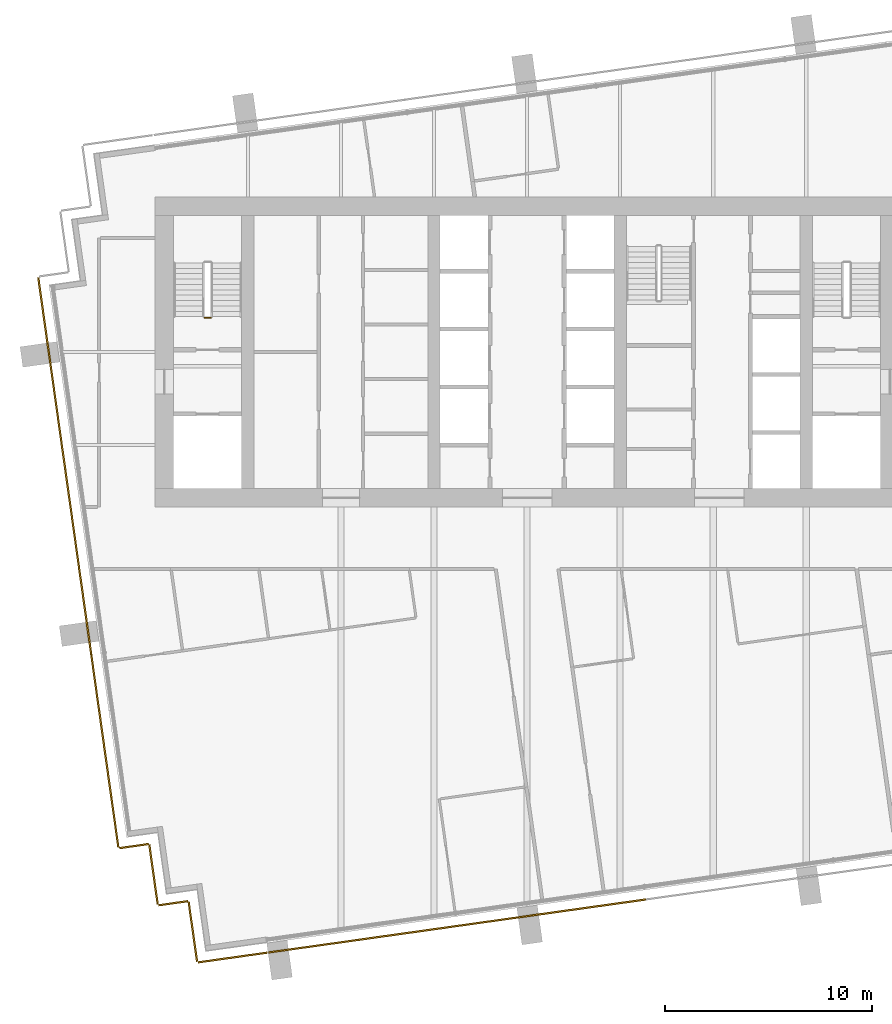
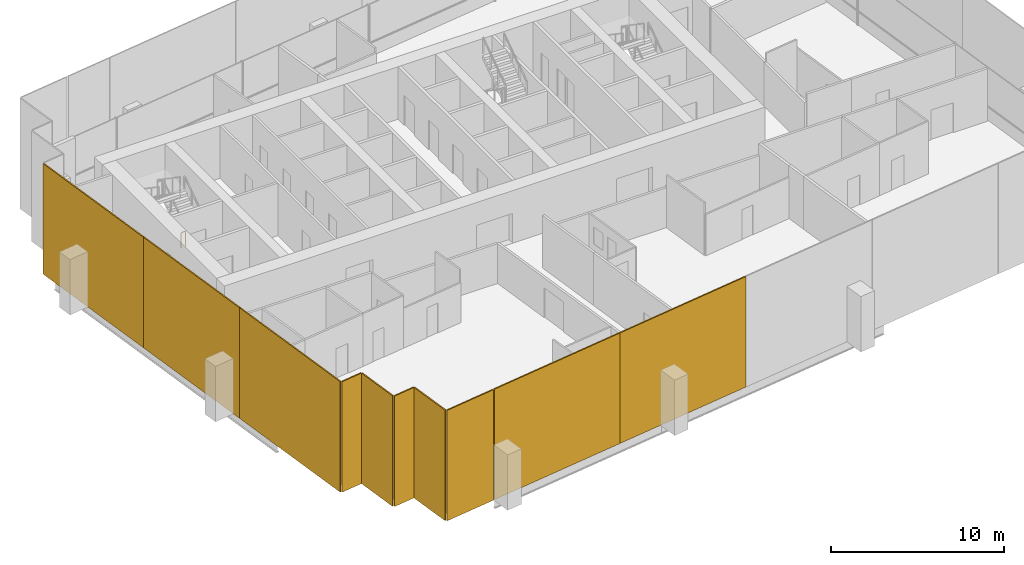
# One storey, part 13 of 17: 10 coverings, 1 railing.
"""IFC4 building model written with IfcOpenShell, lengths in metres."""

from ifc_helpers import new_model, si_unit, direction, frame, origin, origin_2d, place, context, subcontext, project, spatial, rectangle, extrude, material, layer, layer_set, type_object, element, save


model = new_model("IFC4")

# Units and contexts
model_context = context("Model", 3, precision=1e-05, world=origin(), true_north=direction((0.0, 1.0)))
body_context = subcontext(model_context, "Body", "Model", "MODEL_VIEW")
ifc_project = project(units=[si_unit("LENGTHUNIT", "METRE"), si_unit("AREAUNIT", "SQUARE_METRE"), si_unit("VOLUMEUNIT", "CUBIC_METRE"), si_unit("PLANEANGLEUNIT", "RADIAN"), si_unit("MASSUNIT", "GRAM", prefix="KILO")], contexts=[model_context])

# Site, building, storey
site_placement = place(None, origin())
site = spatial("IfcSite", under=ifc_project, at=site_placement, CompositionType="ELEMENT")
building_placement = place(site_placement, origin())
building = spatial("IfcBuilding", under=site, at=building_placement, Name="Rattan Terrace Tower", CompositionType="ELEMENT")
storey_placement = place(building_placement, frame((0.0, 0.0, 225.199951171875)))
storey = spatial("IfcBuildingStorey", under=building, at=storey_placement, Name="L51", CompositionType="ELEMENT", Elevation=225.199951171875)

# Railing
ifc_material_1 = material(Name="Powder-coated steel guard", Category="steel")
railing_type = type_object("IfcRailingType", Name="Core stair guard", PredefinedType="GUARDRAIL", material=ifc_material_1)
railing_placement = place(storey_placement, frame((-15.300048828125, 1.64990234375, 0.0)))
element("IfcRailing", 1, at=railing_placement, inside=storey, type_object=railing_type, Name="L51 S1 stair guard 4", PredefinedType="GUARDRAIL", context=body_context, shape_type="SweptSolid", body=[
    extrude(rectangle(XDim=0.048095703125, YDim=0.048095703125, at=origin_2d()), frame((0.0, 0.0, 1.076171875), z_axis=(-1.0, 0.0, 0.0), x_axis=(0.0, -1.0, 0.0)), (0.0, 0.0, 1.0), 0.300048828125),
    extrude(rectangle(XDim=0.0419921875, YDim=0.0419921875, at=origin_2d()), origin(), (0.0, 0.0, 1.0), 1.052001953125),
    extrude(rectangle(XDim=0.0419921875, YDim=0.0419921875, at=origin_2d()), frame((-0.300048828125, 0.0, 0.0)), (0.0, 0.0, 1.0), 1.052001953125),
])

# Coverings
ifc_material_2 = material(Name="Perforated terracotta", Category="masonry")
ifc_layer = layer(ifc_material_2, 0.080078125)
ifc_layer_set = layer_set([ifc_layer], Name="Facade Terracotta Screen Panel HZ")
covering_type = type_object("IfcCoveringType", Name="Facade Terracotta Screen Panel HZ", PredefinedType="CLADDING", material=ifc_layer_set)
covering_1_placement = place(storey_placement, frame((-22.984375, -1.062255859375, -0.18994140625), z_axis=(0.0, 0.0, 1.0), x_axis=(0.139186165309, -0.990266232579, 0.0)))
element("IfcCovering", 2, at=covering_1_placement, inside=storey, type_object=covering_type, Name="OUTER SKIN panel L51-24", PredefinedType="CLADDING", context=body_context, shape_type="SweptSolid", body=[
    extrude(rectangle(XDim=9.39990234375, YDim=0.080078125, at=origin_2d()), origin(), (0.0, 0.0, 1.0), 7.780029296875),
])
covering_2_placement = place(storey_placement, frame((-21.702392578125, -10.1826171875, -0.18994140625), z_axis=(0.0, 0.0, 1.0), x_axis=(0.139186165309, -0.990266232579, 0.0)))
element("IfcCovering", 3, at=covering_2_placement, inside=storey, type_object=covering_type, Name="OUTER SKIN panel L51-25", PredefinedType="CLADDING", context=body_context, shape_type="SweptSolid", body=[
    extrude(rectangle(XDim=8.97998046875, YDim=0.080078125, at=origin_2d()), origin(), (0.0, 0.0, 1.0), 7.780029296875),
])
covering_3_placement = place(storey_placement, frame((-20.420654296875, -19.302978515625, -0.18994140625), z_axis=(0.0, 0.0, 1.0), x_axis=(0.139186165309, -0.990266232579, 0.0)))
element("IfcCovering", 4, at=covering_3_placement, inside=storey, type_object=covering_type, Name="OUTER SKIN panel L51-26", PredefinedType="CLADDING", context=body_context, shape_type="SweptSolid", body=[
    extrude(rectangle(XDim=9.39990234375, YDim=0.080078125, at=origin_2d()), origin(), (0.0, 0.0, 1.0), 7.780029296875),
])
covering_4_placement = place(storey_placement, frame((-19.007080078125, -23.900634765625, -0.18994140625), z_axis=(0.0, 0.0, 1.0), x_axis=(0.990240767803, 0.139367219175, 0.0)))
element("IfcCovering", 5, at=covering_4_placement, inside=storey, type_object=covering_type, Name="OUTER SKIN panel L51-27", PredefinedType="CLADDING", context=body_context, shape_type="SweptSolid", body=[
    extrude(rectangle(XDim=1.419677734375, YDim=0.080078125, at=origin_2d()), origin(), (0.0, 0.0, 1.0), 7.780029296875),
])
covering_5_placement = place(storey_placement, frame((-18.06689453125, -25.273193359375, -0.18994140625), z_axis=(0.0, 0.0, 1.0), x_axis=(0.139321220646, -0.990247240581, 0.0)))
element("IfcCovering", 6, at=covering_5_placement, inside=storey, type_object=covering_type, Name="OUTER SKIN panel L51-28", PredefinedType="CLADDING", context=body_context, shape_type="SweptSolid", body=[
    extrude(rectangle(XDim=2.920166015625, YDim=0.080078125, at=origin_2d()), origin(), (0.0, 0.0, 1.0), 7.780029296875),
])
covering_6_placement = place(storey_placement, frame((-17.10400390625, -26.662841796875, -0.18994140625), z_axis=(0.0, 0.0, 1.0), x_axis=(0.990240767803, 0.139367219175, 0.0)))
element("IfcCovering", 7, at=covering_6_placement, inside=storey, type_object=covering_type, Name="OUTER SKIN panel L51-29", PredefinedType="CLADDING", context=body_context, shape_type="SweptSolid", body=[
    extrude(rectangle(XDim=1.419677734375, YDim=0.080078125, at=origin_2d()), origin(), (0.0, 0.0, 1.0), 7.780029296875),
])
covering_7_placement = place(storey_placement, frame((-16.163818359375, -28.03515625, -0.18994140625), z_axis=(0.0, 0.0, 1.0), x_axis=(0.139321220646, -0.990247240581, 0.0)))
element("IfcCovering", 8, at=covering_7_placement, inside=storey, type_object=covering_type, Name="OUTER SKIN panel L51-30", PredefinedType="CLADDING", context=body_context, shape_type="SweptSolid", body=[
    extrude(rectangle(XDim=2.920166015625, YDim=0.080078125, at=origin_2d()), origin(), (0.0, 0.0, 1.0), 7.780029296875),
])
covering_8_placement = place(storey_placement, frame((-14.2353515625, -29.289306640625, -0.18994140625), z_axis=(0.0, 0.0, 1.0), x_axis=(0.990293172258, 0.138994363123, 0.0)))
element("IfcCovering", 9, at=covering_8_placement, inside=storey, type_object=covering_type, Name="OUTER SKIN panel L51-31", PredefinedType="CLADDING", context=body_context, shape_type="SweptSolid", body=[
    extrude(rectangle(XDim=3.3701171875, YDim=0.080078125, at=origin_2d()), origin(), (0.0, 0.0, 1.0), 7.780029296875),
])
covering_9_placement = place(storey_placement, frame((-7.941650390625, -28.405029296875, -0.18994140625), z_axis=(0.0, 0.0, 1.0), x_axis=(0.990267457022, 0.139177453499, 0.0)))
element("IfcCovering", 10, at=covering_9_placement, inside=storey, type_object=covering_type, Name="OUTER SKIN panel L51-32", PredefinedType="CLADDING", context=body_context, shape_type="SweptSolid", body=[
    extrude(rectangle(XDim=9.18115234375, YDim=0.080078125, at=origin_2d()), origin(), (0.0, 0.0, 1.0), 7.780029296875),
])
covering_10_placement = place(storey_placement, frame((1.184814453125, -27.122314453125, -0.18994140625), z_axis=(0.0, 0.0, 1.0), x_axis=(0.990267457022, 0.139177453499, 0.0)))
element("IfcCovering", 11, at=covering_10_placement, inside=storey, type_object=covering_type, Name="OUTER SKIN panel L51-33", PredefinedType="CLADDING", context=body_context, shape_type="SweptSolid", body=[
    extrude(rectangle(XDim=9.2109375, YDim=0.080078125, at=origin_2d()), origin(), (0.0, 0.0, 1.0), 7.780029296875),
])

save(model, "model.ifc")
